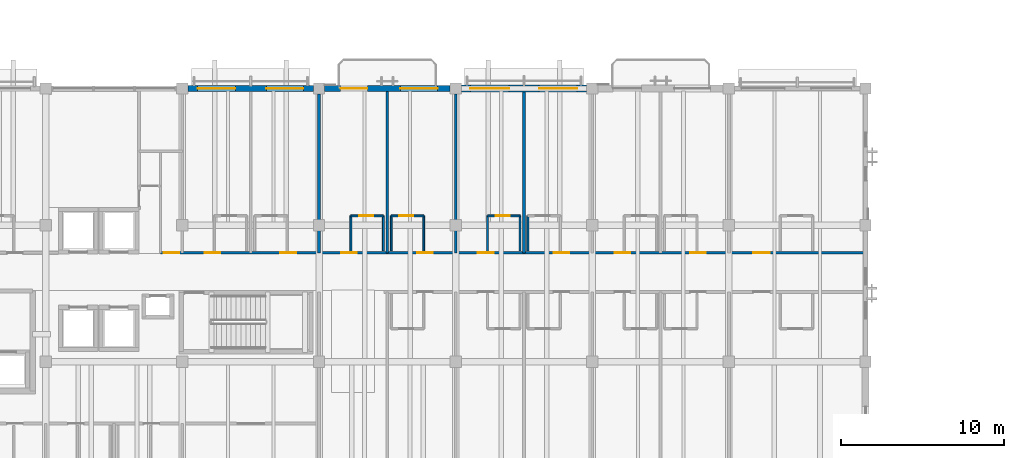
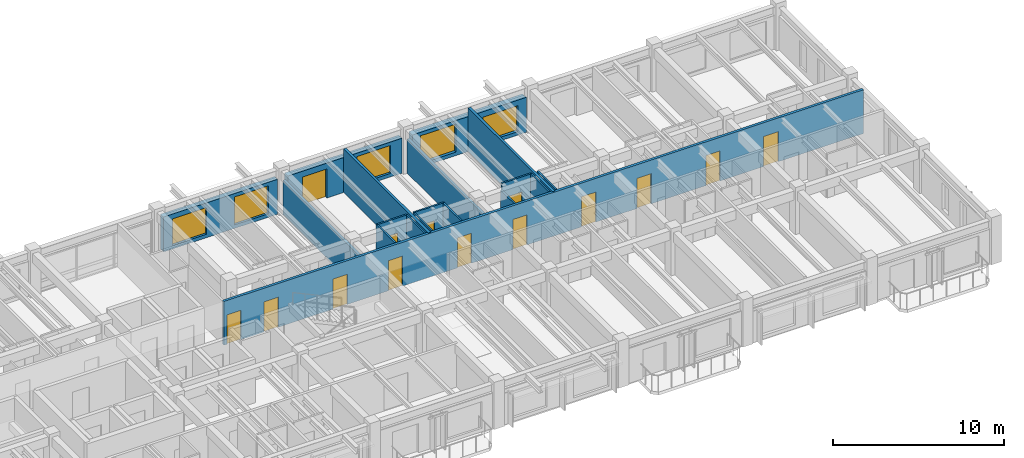
# One storey, part 39 of 64: 18 walls, 14 doors, 5 windows, 19 openings.
"""IFC4 building model written with IfcOpenShell, lengths in metres."""

from ifc_helpers import new_model, si_unit, direction, frame, frame_2d, origin, place, context, subcontext, project, spatial, rectangle, extrude, material, layer, layer_set, type_object, element, fill, save


model = new_model("IFC4")

# Units and contexts
model_context = context("Model", 3, precision=1e-05, world=origin(), true_north=direction((0.0, 1.0)))
body_context = subcontext(model_context, "Body", "Model", "MODEL_VIEW")
ifc_project = project(units=[si_unit("LENGTHUNIT", "METRE"), si_unit("AREAUNIT", "SQUARE_METRE"), si_unit("VOLUMEUNIT", "CUBIC_METRE"), si_unit("PLANEANGLEUNIT", "RADIAN"), si_unit("MASSUNIT", "GRAM", prefix="KILO")], contexts=[model_context])

# Site, building, storey
site_placement = place(None, origin())
site = spatial("IfcSite", under=ifc_project, at=site_placement, CompositionType="ELEMENT")
building_placement = place(site_placement, origin())
building = spatial("IfcBuilding", under=site, at=building_placement, Name="Cumbredor Promenade Congress Hotel", CompositionType="ELEMENT")
storey_placement = place(building_placement, frame((0.0, 0.0, 18.47998046875)))
storey = spatial("IfcBuildingStorey", under=building, at=storey_placement, Name="L05", CompositionType="ELEMENT", Elevation=18.47998046875)

# Wall, opening, door
ifc_material_1 = material(Name="Moisture-resistant gypsum board on steel studs", Category="steel")
ifc_layer_1 = layer(ifc_material_1, 0.114990234375, Name="Moisture-resistant gypsum board on steel studs", Category="steel")
ifc_layer_set_1 = layer_set([ifc_layer_1], Name="Moisture-resistant gypsum board on steel studs")
wall_type_1 = type_object("IfcWallType", Name="WL-BATH-115", PredefinedType="PARTITIONING", material=ifc_layer_set_1)
wall_1_placement = place(storey_placement, frame((52.360107421875, 109.77001953125, 0.0), z_axis=(0.0, 0.0, 1.0), x_axis=(1.0, 0.0, 0.0)))
wall_1 = element("IfcWall", 1, at=wall_1_placement, inside=storey, type_object=wall_type_1, Name="L05 Interior Partition W-L05-BH-0509", PredefinedType="PARTITIONING", context=body_context, shape_type="SweptSolid", body=[
    extrude(rectangle(XDim=2.0, YDim=0.114990234375, at=frame_2d((1.0, 0.0))), origin(), (0.0, 0.0, 1.0), 3.1201171875),
])
opening_1_placement = place(wall_1_placement, frame((0.5, 0.0, 0.0)))
opening_1 = element("IfcOpeningElement", 2, at=opening_1_placement, cuts=wall_1, Name="Opening ID-01", PredefinedType="OPENING", context=body_context, shape_type="SweptSolid", body=[
    extrude(rectangle(XDim=0.860107421875, YDim=2.050048828125, at=frame_2d((0.43017578125, 1.02490234375))), frame((0.0, 0.0673828125, 0.0), z_axis=(0.0, -1.0, 0.0), x_axis=(1.0, 0.0, 0.0)), (0.0, 0.0, 1.0), 0.135009765625),
])
ifc_material_2 = material(Name="Kiln-dried tropical hardwood", Category="wood")
door_type_1 = type_object("IfcDoorType", Name="DR-BATH-860", OperationType="NOTDEFINED", PredefinedType="DOOR", material=ifc_material_2)
door_1_placement = place(opening_1_placement, origin())
door_1 = element("IfcDoor", 3, at=door_1_placement, inside=storey, type_object=door_type_1, Name="L05 Interior Door W-L05-BH-0509-01", OperationType="SINGLE_SWING_RIGHT", OverallHeight=2.050048828125, OverallWidth=0.860107421875, PredefinedType="DOOR", context=body_context, shape_type="SweptSolid", body=[
    extrude(rectangle(XDim=0.860107421875, YDim=2.050048828125, at=frame_2d((0.43017578125, 1.02490234375))), frame((0.0, 0.02490234375, 0.0), z_axis=(0.0, -1.0, 0.0), x_axis=(1.0, 0.0, 0.0)), (0.0, 0.0, 1.0), 0.050048828125),
])
fill(opening_1, door_1)

# Walls
for number, where, z_axis, x_axis, name in (
    (4, (52.360107421875, 107.6201171875, 0.0), (0.0, 0.0, 1.0), (0.0, 1.0, 0.0), "L05 Interior Partition W-L05-BV1-0509"),
    (5, (54.360107421875, 107.6201171875, 0.0), (0.0, 0.0, 1.0), (0.0, 1.0, 0.0), "L05 Interior Partition W-L05-BV2-0509"),
):
    element("IfcWall", number, at=place(storey_placement, frame(where, z_axis=z_axis, x_axis=x_axis)), inside=storey, type_object=wall_type_1, Name=name, PredefinedType="PARTITIONING", context=body_context, shape_type="SweptSolid", body=[
        extrude(rectangle(XDim=2.14990234375, YDim=0.114990234375, at=frame_2d((1.074951171875, 0.0))), origin(), (0.0, 0.0, 1.0), 3.1201171875),
    ])

# Wall, opening, door
wall_2_placement = place(storey_placement, frame((54.840087890625, 109.77001953125, 0.0), z_axis=(0.0, 0.0, 1.0), x_axis=(1.0, 0.0, 0.0)))
wall_2 = element("IfcWall", 6, at=wall_2_placement, inside=storey, type_object=wall_type_1, Name="L05 Interior Partition W-L05-BH-0510", PredefinedType="PARTITIONING", context=body_context, shape_type="SweptSolid", body=[
    extrude(rectangle(XDim=2.0, YDim=0.114990234375, at=frame_2d((1.0, 0.0))), origin(), (0.0, 0.0, 1.0), 3.1201171875),
])
opening_2_placement = place(wall_2_placement, frame((0.5, 0.0, 0.0)))
opening_2 = element("IfcOpeningElement", 7, at=opening_2_placement, cuts=wall_2, Name="Opening ID-01", PredefinedType="OPENING", context=body_context, shape_type="SweptSolid", body=[
    extrude(rectangle(XDim=0.860107421875, YDim=2.050048828125, at=frame_2d((0.43017578125, 1.02490234375))), frame((0.0, 0.0673828125, 0.0), z_axis=(0.0, -1.0, 0.0), x_axis=(1.0, 0.0, 0.0)), (0.0, 0.0, 1.0), 0.135009765625),
])
door_2_placement = place(opening_2_placement, origin())
door_2 = element("IfcDoor", 8, at=door_2_placement, inside=storey, type_object=door_type_1, Name="L05 Interior Door W-L05-BH-0510-01", OperationType="SINGLE_SWING_LEFT", OverallHeight=2.050048828125, OverallWidth=0.860107421875, PredefinedType="DOOR", context=body_context, shape_type="SweptSolid", body=[
    extrude(rectangle(XDim=0.860107421875, YDim=2.050048828125, at=frame_2d((0.43017578125, 1.02490234375))), frame((0.0, 0.02490234375, 0.0), z_axis=(0.0, -1.0, 0.0), x_axis=(1.0, 0.0, 0.0)), (0.0, 0.0, 1.0), 0.050048828125),
])
fill(opening_2, door_2)

# Walls
for number, where, z_axis, x_axis, name in (
    (9, (54.840087890625, 107.6201171875, 0.0), (0.0, 0.0, 1.0), (0.0, 1.0, 0.0), "L05 Interior Partition W-L05-BV1-0510"),
    (10, (56.840087890625, 107.6201171875, 0.0), (0.0, 0.0, 1.0), (0.0, 1.0, 0.0), "L05 Interior Partition W-L05-BV2-0510"),
):
    element("IfcWall", number, at=place(storey_placement, frame(where, z_axis=z_axis, x_axis=x_axis)), inside=storey, type_object=wall_type_1, Name=name, PredefinedType="PARTITIONING", context=body_context, shape_type="SweptSolid", body=[
        extrude(rectangle(XDim=2.14990234375, YDim=0.114990234375, at=frame_2d((1.074951171875, 0.0))), origin(), (0.0, 0.0, 1.0), 3.1201171875),
    ])

# Wall, opening, door
wall_3_placement = place(storey_placement, frame((60.760009765625, 109.77001953125, 0.0), z_axis=(0.0, 0.0, 1.0), x_axis=(1.0, 0.0, 0.0)))
wall_3 = element("IfcWall", 11, at=wall_3_placement, inside=storey, type_object=wall_type_1, Name="L05 Interior Partition W-L05-BH-0511", PredefinedType="PARTITIONING", context=body_context, shape_type="SweptSolid", body=[
    extrude(rectangle(XDim=2.0, YDim=0.114990234375, at=frame_2d((1.0, 0.0))), origin(), (0.0, 0.0, 1.0), 3.1201171875),
])
opening_3_placement = place(wall_3_placement, frame((0.5, 0.0, 0.0)))
opening_3 = element("IfcOpeningElement", 12, at=opening_3_placement, cuts=wall_3, Name="Opening ID-01", PredefinedType="OPENING", context=body_context, shape_type="SweptSolid", body=[
    extrude(rectangle(XDim=0.860107421875, YDim=2.050048828125, at=frame_2d((0.43017578125, 1.02490234375))), frame((0.0, 0.0673828125, 0.0), z_axis=(0.0, -1.0, 0.0), x_axis=(1.0, 0.0, 0.0)), (0.0, 0.0, 1.0), 0.135009765625),
])
door_3_placement = place(opening_3_placement, origin())
door_3 = element("IfcDoor", 13, at=door_3_placement, inside=storey, type_object=door_type_1, Name="L05 Interior Door W-L05-BH-0511-01", OperationType="SINGLE_SWING_RIGHT", OverallHeight=2.050048828125, OverallWidth=0.860107421875, PredefinedType="DOOR", context=body_context, shape_type="SweptSolid", body=[
    extrude(rectangle(XDim=0.860107421875, YDim=2.050048828125, at=frame_2d((0.43017578125, 1.02490234375))), frame((0.0, 0.02490234375, 0.0), z_axis=(0.0, -1.0, 0.0), x_axis=(1.0, 0.0, 0.0)), (0.0, 0.0, 1.0), 0.050048828125),
])
fill(opening_3, door_3)

# Walls
wall_4_placement = place(storey_placement, frame((60.760009765625, 107.6201171875, 0.0), z_axis=(0.0, 0.0, 1.0), x_axis=(0.0, 1.0, 0.0)))
element("IfcWall", 14, at=wall_4_placement, inside=storey, type_object=wall_type_1, Name="L05 Interior Partition W-L05-BV1-0511", PredefinedType="PARTITIONING", context=body_context, shape_type="SweptSolid", body=[
    extrude(rectangle(XDim=2.14990234375, YDim=0.114990234375, at=frame_2d((1.074951171875, 0.0))), origin(), (0.0, 0.0, 1.0), 2.64208984375),
])
for number, where, z_axis, x_axis, name in (
    (15, (62.760009765625, 107.6201171875, 0.0), (0.0, 0.0, 1.0), (0.0, 1.0, 0.0), "L05 Interior Partition W-L05-BV2-0511"),
    (16, (63.239990234375, 107.6201171875, 0.0), (0.0, 0.0, 1.0), (0.0, 1.0, 0.0), "L05 Interior Partition W-L05-BV1-0512"),
):
    element("IfcWall", number, at=place(storey_placement, frame(where, z_axis=z_axis, x_axis=x_axis)), inside=storey, type_object=wall_type_1, Name=name, PredefinedType="PARTITIONING", context=body_context, shape_type="SweptSolid", body=[
        extrude(rectangle(XDim=2.14990234375, YDim=0.114990234375, at=frame_2d((1.074951171875, 0.0))), origin(), (0.0, 0.0, 1.0), 3.1201171875),
    ])

# Wall, openings, doors
ifc_material_3 = material(Name="Fire-rated hotel corridor wall")
ifc_layer_2 = layer(ifc_material_3, 0.179931640625, Name="Fire-rated hotel corridor wall")
ifc_layer_set_2 = layer_set([ifc_layer_2], Name="Fire-rated hotel corridor wall")
wall_type_2 = type_object("IfcWallType", Name="WL-CORR-180", PredefinedType="PARTITIONING", material=ifc_layer_set_2)
wall_5_placement = place(storey_placement, frame((40.659912109375, 107.5, 0.0), z_axis=(0.0, 0.0, 1.0), x_axis=(1.0, 0.0, 0.0)))
wall_5 = element("IfcWall", 17, at=wall_5_placement, inside=storey, type_object=wall_type_2, Name="L05 Interior Partition W-L05-CORR-NE", PredefinedType="PARTITIONING", context=body_context, shape_type="SweptSolid", body=[
    extrude(rectangle(XDim=43.210205078125, YDim=0.179931640625, at=frame_2d((21.60498046875, 0.0))), origin(), (0.0, 0.0, 1.0), 3.1201171875),
])
opening_4_placement = place(wall_5_placement, frame((0.199951171875, 0.0, 0.0)))
opening_4 = element("IfcOpeningElement", 18, at=opening_4_placement, cuts=wall_5, Name="Opening FD-03", PredefinedType="OPENING", context=body_context, shape_type="SweptSolid", body=[
    extrude(rectangle(XDim=0.93994140625, YDim=2.10009765625, at=frame_2d((0.469970703125, 1.050048828125))), frame((0.0, 0.10009765625, 0.0), z_axis=(0.0, -1.0, 0.0), x_axis=(1.0, 0.0, 0.0)), (0.0, 0.0, 1.0), 0.199951171875),
])
opening_5_placement = place(wall_5_placement, frame((2.7099609375, 0.0, 0.0)))
opening_5 = element("IfcOpeningElement", 19, at=opening_5_placement, cuts=wall_5, Name="Opening FD-01", PredefinedType="OPENING", context=body_context, shape_type="SweptSolid", body=[
    extrude(rectangle(XDim=0.9599609375, YDim=2.14990234375, at=frame_2d((0.47998046875, 1.074951171875))), frame((0.0, 0.10009765625, 0.0), z_axis=(0.0, -1.0, 0.0), x_axis=(1.0, 0.0, 0.0)), (0.0, 0.0, 1.0), 0.199951171875),
])
opening_6_placement = place(wall_5_placement, frame((7.3701171875, 0.0, 0.0)))
opening_6 = element("IfcOpeningElement", 20, at=opening_6_placement, cuts=wall_5, Name="Opening FD-01", PredefinedType="OPENING", context=body_context, shape_type="SweptSolid", body=[
    extrude(rectangle(XDim=0.9599609375, YDim=2.14990234375, at=frame_2d((0.47998046875, 1.074951171875))), frame((0.0, 0.10009765625, 0.0), z_axis=(0.0, -1.0, 0.0), x_axis=(1.0, 0.0, 0.0)), (0.0, 0.0, 1.0), 0.199951171875),
])
opening_7_placement = place(wall_5_placement, frame((11.110107421875, 0.0, 0.0)))
opening_7 = element("IfcOpeningElement", 21, at=opening_7_placement, cuts=wall_5, Name="Opening FD-01", PredefinedType="OPENING", context=body_context, shape_type="SweptSolid", body=[
    extrude(rectangle(XDim=0.9599609375, YDim=2.14990234375, at=frame_2d((0.47998046875, 1.074951171875))), frame((0.0, 0.10009765625, 0.0), z_axis=(0.0, -1.0, 0.0), x_axis=(1.0, 0.0, 0.0)), (0.0, 0.0, 1.0), 0.199951171875),
])
opening_8_placement = place(wall_5_placement, frame((15.77001953125, 0.0, 0.0)))
opening_8 = element("IfcOpeningElement", 22, at=opening_8_placement, cuts=wall_5, Name="Opening FD-01", PredefinedType="OPENING", context=body_context, shape_type="SweptSolid", body=[
    extrude(rectangle(XDim=0.9599609375, YDim=2.14990234375, at=frame_2d((0.47998046875, 1.074951171875))), frame((0.0, 0.10009765625, 0.0), z_axis=(0.0, -1.0, 0.0), x_axis=(1.0, 0.0, 0.0)), (0.0, 0.0, 1.0), 0.199951171875),
])
opening_9_placement = place(wall_5_placement, frame((19.510009765625, 0.0, 0.0)))
opening_9 = element("IfcOpeningElement", 23, at=opening_9_placement, cuts=wall_5, Name="Opening FD-01", PredefinedType="OPENING", context=body_context, shape_type="SweptSolid", body=[
    extrude(rectangle(XDim=0.9599609375, YDim=2.14990234375, at=frame_2d((0.47998046875, 1.074951171875))), frame((0.0, 0.10009765625, 0.0), z_axis=(0.0, -1.0, 0.0), x_axis=(1.0, 0.0, 0.0)), (0.0, 0.0, 1.0), 0.199951171875),
])
opening_10_placement = place(wall_5_placement, frame((24.169921875, 0.0, 0.0)))
opening_10 = element("IfcOpeningElement", 24, at=opening_10_placement, cuts=wall_5, Name="Opening FD-01", PredefinedType="OPENING", context=body_context, shape_type="SweptSolid", body=[
    extrude(rectangle(XDim=0.9599609375, YDim=2.14990234375, at=frame_2d((0.47998046875, 1.074951171875))), frame((0.0, 0.10009765625, 0.0), z_axis=(0.0, -1.0, 0.0), x_axis=(1.0, 0.0, 0.0)), (0.0, 0.0, 1.0), 0.199951171875),
])
opening_11_placement = place(wall_5_placement, frame((27.909912109375, 0.0, 0.0)))
opening_11 = element("IfcOpeningElement", 25, at=opening_11_placement, cuts=wall_5, Name="Opening FD-01", PredefinedType="OPENING", context=body_context, shape_type="SweptSolid", body=[
    extrude(rectangle(XDim=0.9599609375, YDim=2.14990234375, at=frame_2d((0.47998046875, 1.074951171875))), frame((0.0, 0.10009765625, 0.0), z_axis=(0.0, -1.0, 0.0), x_axis=(1.0, 0.0, 0.0)), (0.0, 0.0, 1.0), 0.199951171875),
])
opening_12_placement = place(wall_5_placement, frame((32.570068359375, 0.0, 0.0)))
opening_12 = element("IfcOpeningElement", 26, at=opening_12_placement, cuts=wall_5, Name="Opening FD-01", PredefinedType="OPENING", context=body_context, shape_type="SweptSolid", body=[
    extrude(rectangle(XDim=0.9599609375, YDim=2.14990234375, at=frame_2d((0.47998046875, 1.074951171875))), frame((0.0, 0.10009765625, 0.0), z_axis=(0.0, -1.0, 0.0), x_axis=(1.0, 0.0, 0.0)), (0.0, 0.0, 1.0), 0.199951171875),
])
opening_13_placement = place(wall_5_placement, frame((36.43994140625, 0.0, 0.0)))
opening_13 = element("IfcOpeningElement", 27, at=opening_13_placement, cuts=wall_5, Name="Opening FD-02", PredefinedType="OPENING", context=body_context, shape_type="SweptSolid", body=[
    extrude(rectangle(XDim=1.02001953125, YDim=2.14990234375, at=frame_2d((0.510009765625, 1.074951171875))), frame((0.0, 0.10009765625, 0.0), z_axis=(0.0, -1.0, 0.0), x_axis=(1.0, 0.0, 0.0)), (0.0, 0.0, 1.0), 0.199951171875),
])
ifc_material_4 = material(Name="Solid-core fire-rated tropical hardwood", Category="wood")
door_type_2 = type_object("IfcDoorType", Name="DR-GUEST-FD30-1000", OperationType="NOTDEFINED", PredefinedType="DOOR", material=ifc_material_4)
door_4_placement = place(opening_13_placement, origin())
door_4 = element("IfcDoor", 28, at=door_4_placement, inside=storey, type_object=door_type_2, Name="L05 Interior Door W-L05-CORR-NE-10", OperationType="SINGLE_SWING_LEFT", OverallHeight=2.14990234375, OverallWidth=1.02001953125, PredefinedType="DOOR", context=body_context, shape_type="SweptSolid", body=[
    extrude(rectangle(XDim=1.02001953125, YDim=2.14990234375, at=frame_2d((0.510009765625, 1.074951171875))), frame((0.0, 0.02490234375, 0.0), z_axis=(0.0, -1.0, 0.0), x_axis=(1.0, 0.0, 0.0)), (0.0, 0.0, 1.0), 0.050048828125),
])
fill(opening_13, door_4)
door_type_3 = type_object("IfcDoorType", Name="DR-GUEST-FD30-950", OperationType="NOTDEFINED", PredefinedType="DOOR", material=ifc_material_4)
door_5_placement = place(opening_5_placement, origin())
door_5 = element("IfcDoor", 29, at=door_5_placement, inside=storey, type_object=door_type_3, Name="L05 Interior Door W-L05-CORR-NE-02", OperationType="SINGLE_SWING_LEFT", OverallHeight=2.14990234375, OverallWidth=0.9599609375, PredefinedType="DOOR", context=body_context, shape_type="SweptSolid", body=[
    extrude(rectangle(XDim=0.9599609375, YDim=2.14990234375, at=frame_2d((0.47998046875, 1.074951171875))), frame((0.0, 0.02490234375, 0.0), z_axis=(0.0, -1.0, 0.0), x_axis=(1.0, 0.0, 0.0)), (0.0, 0.0, 1.0), 0.050048828125),
])
fill(opening_5, door_5)
door_6_placement = place(opening_6_placement, origin())
door_6 = element("IfcDoor", 30, at=door_6_placement, inside=storey, type_object=door_type_3, Name="L05 Interior Door W-L05-CORR-NE-03", OperationType="SINGLE_SWING_RIGHT", OverallHeight=2.14990234375, OverallWidth=0.9599609375, PredefinedType="DOOR", context=body_context, shape_type="SweptSolid", body=[
    extrude(rectangle(XDim=0.9599609375, YDim=2.14990234375, at=frame_2d((0.47998046875, 1.074951171875))), frame((0.0, 0.02490234375, 0.0), z_axis=(0.0, -1.0, 0.0), x_axis=(1.0, 0.0, 0.0)), (0.0, 0.0, 1.0), 0.050048828125),
])
fill(opening_6, door_6)
door_7_placement = place(opening_7_placement, origin())
door_7 = element("IfcDoor", 31, at=door_7_placement, inside=storey, type_object=door_type_3, Name="L05 Interior Door W-L05-CORR-NE-04", OperationType="SINGLE_SWING_LEFT", OverallHeight=2.14990234375, OverallWidth=0.9599609375, PredefinedType="DOOR", context=body_context, shape_type="SweptSolid", body=[
    extrude(rectangle(XDim=0.9599609375, YDim=2.14990234375, at=frame_2d((0.47998046875, 1.074951171875))), frame((0.0, 0.02490234375, 0.0), z_axis=(0.0, -1.0, 0.0), x_axis=(1.0, 0.0, 0.0)), (0.0, 0.0, 1.0), 0.050048828125),
])
fill(opening_7, door_7)
door_8_placement = place(opening_8_placement, origin())
door_8 = element("IfcDoor", 32, at=door_8_placement, inside=storey, type_object=door_type_3, Name="L05 Interior Door W-L05-CORR-NE-05", OperationType="SINGLE_SWING_RIGHT", OverallHeight=2.14990234375, OverallWidth=0.9599609375, PredefinedType="DOOR", context=body_context, shape_type="SweptSolid", body=[
    extrude(rectangle(XDim=0.9599609375, YDim=2.14990234375, at=frame_2d((0.47998046875, 1.074951171875))), frame((0.0, 0.02490234375, 0.0), z_axis=(0.0, -1.0, 0.0), x_axis=(1.0, 0.0, 0.0)), (0.0, 0.0, 1.0), 0.050048828125),
])
fill(opening_8, door_8)
door_9_placement = place(opening_9_placement, origin())
door_9 = element("IfcDoor", 33, at=door_9_placement, inside=storey, type_object=door_type_3, Name="L05 Interior Door W-L05-CORR-NE-06", OperationType="SINGLE_SWING_LEFT", OverallHeight=2.14990234375, OverallWidth=0.9599609375, PredefinedType="DOOR", context=body_context, shape_type="SweptSolid", body=[
    extrude(rectangle(XDim=0.9599609375, YDim=2.14990234375, at=frame_2d((0.47998046875, 1.074951171875))), frame((0.0, 0.02490234375, 0.0), z_axis=(0.0, -1.0, 0.0), x_axis=(1.0, 0.0, 0.0)), (0.0, 0.0, 1.0), 0.050048828125),
])
fill(opening_9, door_9)
door_10_placement = place(opening_10_placement, origin())
door_10 = element("IfcDoor", 34, at=door_10_placement, inside=storey, type_object=door_type_3, Name="L05 Interior Door W-L05-CORR-NE-07", OperationType="SINGLE_SWING_RIGHT", OverallHeight=2.14990234375, OverallWidth=0.9599609375, PredefinedType="DOOR", context=body_context, shape_type="SweptSolid", body=[
    extrude(rectangle(XDim=0.9599609375, YDim=2.14990234375, at=frame_2d((0.47998046875, 1.074951171875))), frame((0.0, 0.02490234375, 0.0), z_axis=(0.0, -1.0, 0.0), x_axis=(1.0, 0.0, 0.0)), (0.0, 0.0, 1.0), 0.050048828125),
])
fill(opening_10, door_10)
door_11_placement = place(opening_11_placement, origin())
door_11 = element("IfcDoor", 35, at=door_11_placement, inside=storey, type_object=door_type_3, Name="L05 Interior Door W-L05-CORR-NE-08", OperationType="SINGLE_SWING_LEFT", OverallHeight=2.14990234375, OverallWidth=0.9599609375, PredefinedType="DOOR", context=body_context, shape_type="SweptSolid", body=[
    extrude(rectangle(XDim=0.9599609375, YDim=2.14990234375, at=frame_2d((0.47998046875, 1.074951171875))), frame((0.0, 0.02490234375, 0.0), z_axis=(0.0, -1.0, 0.0), x_axis=(1.0, 0.0, 0.0)), (0.0, 0.0, 1.0), 0.050048828125),
])
fill(opening_11, door_11)
door_12_placement = place(opening_12_placement, origin())
door_12 = element("IfcDoor", 36, at=door_12_placement, inside=storey, type_object=door_type_3, Name="L05 Interior Door W-L05-CORR-NE-09", OperationType="SINGLE_SWING_RIGHT", OverallHeight=2.14990234375, OverallWidth=0.9599609375, PredefinedType="DOOR", context=body_context, shape_type="SweptSolid", body=[
    extrude(rectangle(XDim=0.9599609375, YDim=2.14990234375, at=frame_2d((0.47998046875, 1.074951171875))), frame((0.0, 0.02490234375, 0.0), z_axis=(0.0, -1.0, 0.0), x_axis=(1.0, 0.0, 0.0)), (0.0, 0.0, 1.0), 0.050048828125),
])
fill(opening_12, door_12)
ifc_material_5 = material(Name="Painted galvanized steel fire door", Category="steel")
door_type_4 = type_object("IfcDoorType", Name="DR-SGL-FD60-950", OperationType="NOTDEFINED", PredefinedType="DOOR", material=ifc_material_5)
door_13_placement = place(opening_4_placement, origin())
door_13 = element("IfcDoor", 37, at=door_13_placement, inside=storey, type_object=door_type_4, Name="L05 Interior Door W-L05-CORR-NE-01", OperationType="SINGLE_SWING_RIGHT", OverallHeight=2.10009765625, OverallWidth=0.93994140625, PredefinedType="DOOR", context=body_context, shape_type="SweptSolid", body=[
    extrude(rectangle(XDim=0.93994140625, YDim=2.10009765625, at=frame_2d((0.469970703125, 1.050048828125))), frame((0.0, 0.02490234375, 0.0), z_axis=(0.0, -1.0, 0.0), x_axis=(1.0, 0.0, 0.0)), (0.0, 0.0, 1.0), 0.050048828125),
])
fill(opening_4, door_13)

# Wall, openings, windows
ifc_material_6 = material(Name="Concrete C40/50", Category="concrete")
ifc_layer_3 = layer(ifc_material_6, 0.35009765625, Name="Concrete C40/50", Category="concrete")
ifc_layer_set_3 = layer_set([ifc_layer_3], Name="Concrete C40/50")
wall_type_3 = type_object("IfcWallType", Name="WL-EXT-350", PredefinedType="SOLIDWALL", material=ifc_layer_set_3)
wall_6_placement = place(storey_placement, frame((42.35107421875, 117.60009765625, 0.0), z_axis=(0.0, 0.0, 1.0), x_axis=(1.0, 0.0, 0.0)))
wall_6 = element("IfcWall", 38, at=wall_6_placement, inside=storey, type_object=wall_type_3, Name="L05 Stepped Congress Hotel Wing North Envelope Wall 6", PredefinedType="SOLIDWALL", context=body_context, shape_type="SweptSolid", body=[
    extrude(rectangle(XDim=7.697998046875, YDim=0.35009765625, at=frame_2d((3.84912109375, 0.0))), origin(), (0.0, 0.0, 1.0), 2.494140625),
])
opening_14_placement = place(wall_6_placement, frame((0.589111328125, 0.0, 0.25)))
opening_14 = element("IfcOpeningElement", 39, at=opening_14_placement, cuts=wall_6, Name="Opening WN-36", PredefinedType="OPENING", context=body_context, shape_type="SweptSolid", body=[
    extrude(rectangle(XDim=2.320068359375, YDim=1.89990234375, at=frame_2d((1.16015625, 0.949951171875))), frame((0.0, 0.18505859375, 0.0), z_axis=(0.0, -1.0, 0.0), x_axis=(1.0, 0.0, 0.0)), (0.0, 0.0, 1.0), 0.3701171875),
])
opening_15_placement = place(wall_6_placement, frame((4.80908203125, 0.0, 0.25)))
opening_15 = element("IfcOpeningElement", 40, at=opening_15_placement, cuts=wall_6, Name="Opening WN-40", PredefinedType="OPENING", context=body_context, shape_type="SweptSolid", body=[
    extrude(rectangle(XDim=2.280029296875, YDim=2.0, at=frame_2d((1.14013671875, 1.0))), frame((0.0, 0.18505859375, 0.0), z_axis=(0.0, -1.0, 0.0), x_axis=(1.0, 0.0, 0.0)), (0.0, 0.0, 1.0), 0.3701171875),
])
ifc_material_7 = material(Name="Thermally broken anodized aluminium and low-E glass", Category="aluminium")
window_type_1 = type_object("IfcWindowType", Name="Hospitality Floor-to-Ceiling Window WN-36 2320x1900", PartitioningType="DOUBLE_PANEL_VERTICAL", PredefinedType="WINDOW", material=ifc_material_7)
window_1_placement = place(opening_14_placement, origin())
window_1 = element("IfcWindow", 41, at=window_1_placement, inside=storey, type_object=window_type_1, Name="L05 Wide Hospitality Window 0563", OverallHeight=1.89990234375, OverallWidth=2.320068359375, PartitioningType="DOUBLE_PANEL_VERTICAL", PredefinedType="WINDOW", context=body_context, shape_type="SweptSolid", body=[
    extrude(rectangle(XDim=2.320068359375, YDim=1.89990234375, at=frame_2d((1.16015625, 0.949951171875))), frame((0.0, 0.030029296875, 0.0), z_axis=(0.0, -1.0, 0.0), x_axis=(1.0, 0.0, 0.0)), (0.0, 0.0, 1.0), 0.06005859375),
])
fill(opening_14, window_1)
window_type_2 = type_object("IfcWindowType", Name="Hospitality Floor-to-Ceiling Window WN-40 2280x2000", PartitioningType="DOUBLE_PANEL_VERTICAL", PredefinedType="WINDOW", material=ifc_material_7)
window_2_placement = place(opening_15_placement, origin())
window_2 = element("IfcWindow", 42, at=window_2_placement, inside=storey, type_object=window_type_2, Name="L05 Wide Hospitality Window 0564", OverallHeight=2.0, OverallWidth=2.280029296875, PartitioningType="DOUBLE_PANEL_VERTICAL", PredefinedType="WINDOW", context=body_context, shape_type="SweptSolid", body=[
    extrude(rectangle(XDim=2.280029296875, YDim=2.0, at=frame_2d((1.14013671875, 1.0))), frame((0.0, 0.030029296875, 0.0), z_axis=(0.0, -1.0, 0.0), x_axis=(1.0, 0.0, 0.0)), (0.0, 0.0, 1.0), 0.06005859375),
])
fill(opening_15, window_2)

# Wall, openings, door, window
ifc_layer_4 = layer(ifc_material_6, 0.3798828125, Name="Concrete C40/50", Category="concrete")
ifc_layer_set_4 = layer_set([ifc_layer_4], Name="Concrete C40/50")
wall_type_4 = type_object("IfcWallType", Name="WL-EXT-380", PredefinedType="SOLIDWALL", material=ifc_layer_set_4)
wall_7_placement = place(storey_placement, frame((50.7509765625, 117.60009765625, 0.0), z_axis=(0.0, 0.0, 1.0), x_axis=(1.0, 0.0, 0.0)))
wall_7 = element("IfcWall", 43, at=wall_7_placement, inside=storey, type_object=wall_type_4, Name="L05 Stepped Congress Hotel Wing North Envelope Wall 7", PredefinedType="SOLIDWALL", context=body_context, shape_type="SweptSolid", body=[
    extrude(rectangle(XDim=7.697998046875, YDim=0.3798828125, at=frame_2d((3.84912109375, 0.0))), origin(), (0.0, 0.0, 1.0), 2.494140625),
])
opening_16_placement = place(wall_7_placement, frame((0.97412109375, 0.0, 0.0)))
opening_16 = element("IfcOpeningElement", 44, at=opening_16_placement, cuts=wall_7, Name="Opening TD-02", PredefinedType="OPENING", context=body_context, shape_type="SweptSolid", body=[
    extrude(rectangle(XDim=1.64990234375, YDim=2.080078125, at=frame_2d((0.824951171875, 1.0400390625))), frame((0.0, 0.199951171875, 0.0), z_axis=(0.0, -1.0, 0.0), x_axis=(1.0, 0.0, 0.0)), (0.0, 0.0, 1.0), 0.39990234375),
])
opening_17_placement = place(wall_7_placement, frame((4.658935546875, 0.0, 0.25)))
opening_17 = element("IfcOpeningElement", 45, at=opening_17_placement, cuts=wall_7, Name="Opening WN-40", PredefinedType="OPENING", context=body_context, shape_type="SweptSolid", body=[
    extrude(rectangle(XDim=2.280029296875, YDim=2.0, at=frame_2d((1.14013671875, 1.0))), frame((0.0, 0.199951171875, 0.0), z_axis=(0.0, -1.0, 0.0), x_axis=(1.0, 0.0, 0.0)), (0.0, 0.0, 1.0), 0.39990234375),
])
ifc_material_8 = material(Name="Thermally broken anodized aluminium and laminated safety glass", Category="aluminium")
door_type_5 = type_object("IfcDoorType", Name="EXT-DR-TER-1650x2080", OperationType="DOUBLE_DOOR_SINGLE_SWING", PredefinedType="DOOR", material=ifc_material_8)
door_14_placement = place(opening_16_placement, origin())
door_14 = element("IfcDoor", 46, at=door_14_placement, inside=storey, type_object=door_type_5, Name="L05 Guestroom Veranda Balcony Door 064", OperationType="DOUBLE_DOOR_SINGLE_SWING", OverallHeight=2.080078125, OverallWidth=1.64990234375, PredefinedType="DOOR", context=body_context, shape_type="SweptSolid", body=[
    extrude(rectangle(XDim=1.64990234375, YDim=2.080078125, at=frame_2d((0.824951171875, 1.0400390625))), frame((0.0, 0.02490234375, 0.0), z_axis=(0.0, -1.0, 0.0), x_axis=(1.0, 0.0, 0.0)), (0.0, 0.0, 1.0), 0.050048828125),
])
fill(opening_16, door_14)
window_3_placement = place(opening_17_placement, origin())
window_3 = element("IfcWindow", 47, at=window_3_placement, inside=storey, type_object=window_type_2, Name="L05 Veranda Companion Floor-to-Ceiling Window 0565", OverallHeight=2.0, OverallWidth=2.280029296875, PartitioningType="DOUBLE_PANEL_VERTICAL", PredefinedType="WINDOW", context=body_context, shape_type="SweptSolid", body=[
    extrude(rectangle(XDim=2.280029296875, YDim=2.0, at=frame_2d((1.14013671875, 1.0))), frame((0.0, 0.030029296875, 0.0), z_axis=(0.0, -1.0, 0.0), x_axis=(1.0, 0.0, 0.0)), (0.0, 0.0, 1.0), 0.06005859375),
])
fill(opening_17, window_3)

# Wall, openings, windows
ifc_layer_5 = layer(ifc_material_6, 0.425048828125, Name="Concrete C40/50", Category="concrete")
ifc_layer_set_5 = layer_set([ifc_layer_5], Name="Concrete C40/50")
wall_type_5 = type_object("IfcWallType", Name="WL-EXT-425", PredefinedType="SOLIDWALL", material=ifc_layer_set_5)
wall_8_placement = place(storey_placement, frame((59.15087890625, 117.60009765625, 0.0), z_axis=(0.0, 0.0, 1.0), x_axis=(1.0, 0.0, 0.0)))
wall_8 = element("IfcWall", 48, at=wall_8_placement, inside=storey, type_object=wall_type_5, Name="L05 Stepped Congress Hotel Wing North Envelope Wall 8", PredefinedType="SOLIDWALL", context=body_context, shape_type="SweptSolid", body=[
    extrude(rectangle(XDim=7.6982421875, YDim=0.425048828125, at=frame_2d((3.84912109375, 0.0))), origin(), (0.0, 0.0, 1.0), 2.494140625),
])
opening_18_placement = place(wall_8_placement, frame((0.55908203125, 0.0, 0.25)))
opening_18 = element("IfcOpeningElement", 49, at=opening_18_placement, cuts=wall_8, Name="Opening WN-41", PredefinedType="OPENING", context=body_context, shape_type="SweptSolid", body=[
    extrude(rectangle(XDim=2.3798828125, YDim=2.0, at=frame_2d((1.18994140625, 1.0))), frame((0.0, 0.22265625, 0.0), z_axis=(0.0, -1.0, 0.0), x_axis=(1.0, 0.0, 0.0)), (0.0, 0.0, 1.0), 0.445068359375),
])
opening_19_placement = place(wall_8_placement, frame((4.77392578125, 0.0, 0.25)))
opening_19 = element("IfcOpeningElement", 50, at=opening_19_placement, cuts=wall_8, Name="Opening WN-02", PredefinedType="OPENING", context=body_context, shape_type="SweptSolid", body=[
    extrude(rectangle(XDim=2.35009765625, YDim=1.85009765625, at=frame_2d((1.175048828125, 0.925048828125))), frame((0.0, 0.22265625, 0.0), z_axis=(0.0, -1.0, 0.0), x_axis=(1.0, 0.0, 0.0)), (0.0, 0.0, 1.0), 0.445068359375),
])
window_type_3 = type_object("IfcWindowType", Name="Hospitality Floor-to-Ceiling Window WN-02 2350x1850", PartitioningType="DOUBLE_PANEL_VERTICAL", PredefinedType="WINDOW", material=ifc_material_7)
window_4_placement = place(opening_19_placement, origin())
window_4 = element("IfcWindow", 51, at=window_4_placement, inside=storey, type_object=window_type_3, Name="L05 Wide Hospitality Window 0567", OverallHeight=1.85009765625, OverallWidth=2.35009765625, PartitioningType="DOUBLE_PANEL_VERTICAL", PredefinedType="WINDOW", context=body_context, shape_type="SweptSolid", body=[
    extrude(rectangle(XDim=2.35009765625, YDim=1.85009765625, at=frame_2d((1.175048828125, 0.925048828125))), frame((0.0, 0.030029296875, 0.0), z_axis=(0.0, -1.0, 0.0), x_axis=(1.0, 0.0, 0.0)), (0.0, 0.0, 1.0), 0.06005859375),
])
fill(opening_19, window_4)
window_type_4 = type_object("IfcWindowType", Name="Hospitality Floor-to-Ceiling Window WN-41 2380x2000", PartitioningType="DOUBLE_PANEL_VERTICAL", PredefinedType="WINDOW", material=ifc_material_7)
window_5_placement = place(opening_18_placement, origin())
window_5 = element("IfcWindow", 52, at=window_5_placement, inside=storey, type_object=window_type_4, Name="L05 Wide Hospitality Window 0566", OverallHeight=2.0, OverallWidth=2.3798828125, PartitioningType="DOUBLE_PANEL_VERTICAL", PredefinedType="WINDOW", context=body_context, shape_type="SweptSolid", body=[
    extrude(rectangle(XDim=2.3798828125, YDim=2.0, at=frame_2d((1.18994140625, 1.0))), frame((0.0, 0.030029296875, 0.0), z_axis=(0.0, -1.0, 0.0), x_axis=(1.0, 0.0, 0.0)), (0.0, 0.0, 1.0), 0.06005859375),
])
fill(opening_18, window_5)

# Walls
ifc_material_9 = material(Name="Fire-rated acoustic double-stud partition")
ifc_layer_6 = layer(ifc_material_9, 0.1650390625, Name="Fire-rated acoustic double-stud partition")
ifc_layer_set_6 = layer_set([ifc_layer_6], Name="Fire-rated acoustic double-stud partition")
wall_type_6 = type_object("IfcWallType", Name="WL-UNIT-165", PredefinedType="PARTITIONING", material=ifc_layer_set_6)
wall_9_placement = place(storey_placement, frame((54.60009765625, 107.5, 0.0), z_axis=(0.0, 0.0, 1.0), x_axis=(0.0, 1.0, 0.0)))
element("IfcWall", 53, at=wall_9_placement, inside=storey, type_object=wall_type_6, Name="L05 Interior Partition W-L05-N-DIV-6-M", PredefinedType="PARTITIONING", context=body_context, shape_type="SweptSolid", body=[
    extrude(rectangle(XDim=9.909912109375, YDim=0.1650390625, at=frame_2d((4.955078125, 0.0))), origin(), (0.0, 0.0, 1.0), 3.1201171875),
])
wall_10_placement = place(storey_placement, frame((50.39990234375, 107.5, 0.0), z_axis=(0.0, 0.0, 1.0), x_axis=(0.0, 1.0, 0.0)))
element("IfcWall", 54, at=wall_10_placement, inside=storey, type_object=wall_type_6, Name="L05 Interior Partition W-L05-N-DIV-6-G", PredefinedType="PARTITIONING", context=body_context, shape_type="SweptSolid", body=[
    extrude(rectangle(XDim=9.75, YDim=0.1650390625, at=frame_2d((4.875, 0.0))), origin(), (0.0, 0.0, 1.0), 2.455078125),
])
wall_11_placement = place(storey_placement, frame((63.0, 107.5, 0.0), z_axis=(0.0, 0.0, 1.0), x_axis=(0.0, 1.0, 0.0)))
element("IfcWall", 55, at=wall_11_placement, inside=storey, type_object=wall_type_6, Name="L05 Interior Partition W-L05-N-DIV-7-M", PredefinedType="PARTITIONING", context=body_context, shape_type="SweptSolid", body=[
    extrude(rectangle(XDim=9.887451171875, YDim=0.1650390625, at=frame_2d((4.94384765625, 0.0))), origin(), (0.0, 0.0, 1.0), 3.1201171875),
])
wall_12_placement = place(storey_placement, frame((58.800048828125, 107.5, 0.0), z_axis=(0.0, 0.0, 1.0), x_axis=(0.0, 1.0, 0.0)))
element("IfcWall", 56, at=wall_12_placement, inside=storey, type_object=wall_type_6, Name="L05 Interior Partition W-L05-N-DIV-7-G", PredefinedType="PARTITIONING", context=body_context, shape_type="SweptSolid", body=[
    extrude(rectangle(XDim=9.75, YDim=0.1650390625, at=frame_2d((4.875, 0.0))), origin(), (0.0, 0.0, 1.0), 2.455078125),
])

save(model, "model.ifc")
